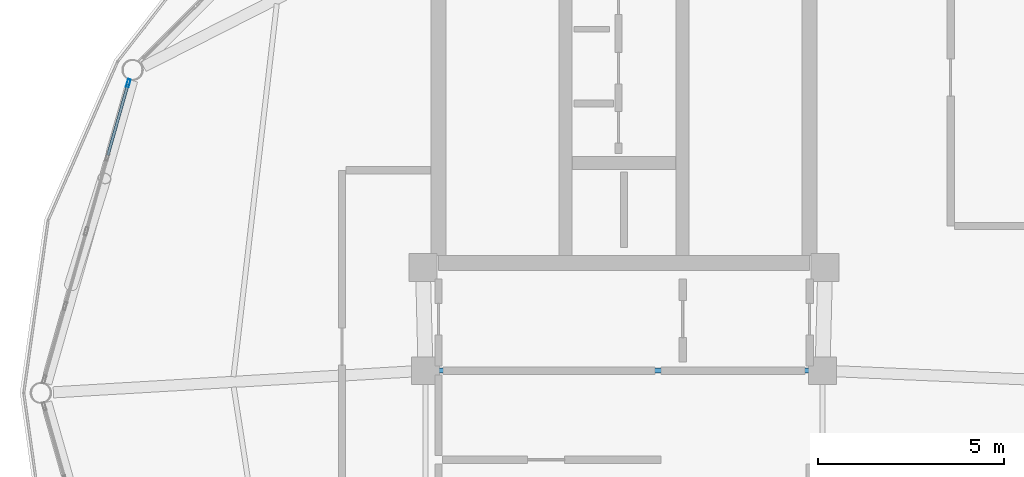
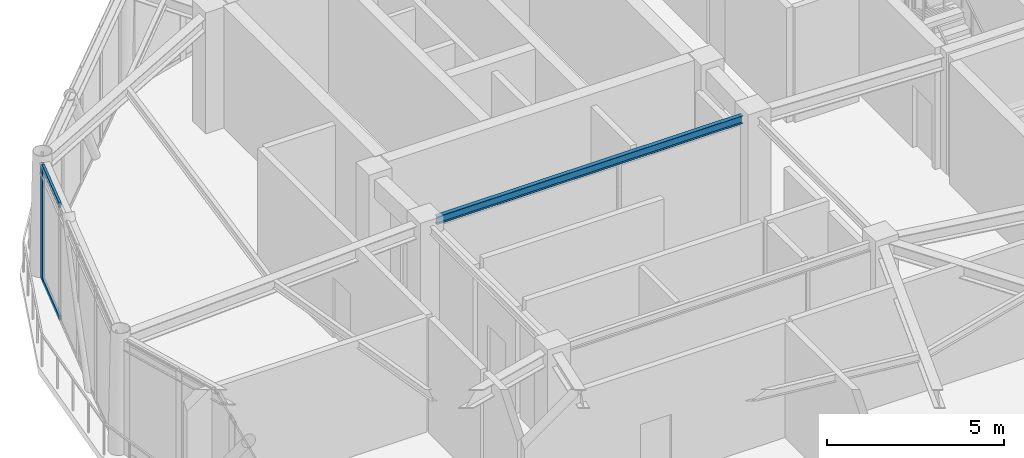
# One storey, part 9 of 21: 3 members, 1 beam, 1 element without a shape of its own.
"""IFC4 building model written with IfcOpenShell, lengths in metres."""

from ifc_helpers import new_model, si_unit, direction, frame, origin, origin_2d, place, context, subcontext, project, spatial, hollow_rectangle, i_section, extrude, material, layer, layer_set, material_profile, profile_set, type_object, element, aggregate, save


model = new_model("IFC4")

# Units and contexts
model_context = context("Model", 3, precision=1e-05, world=origin(), true_north=direction((0.0, 1.0)))
body_context = subcontext(model_context, "Body", "Model", "MODEL_VIEW")
ifc_project = project(units=[si_unit("LENGTHUNIT", "METRE"), si_unit("AREAUNIT", "SQUARE_METRE"), si_unit("VOLUMEUNIT", "CUBIC_METRE"), si_unit("PLANEANGLEUNIT", "RADIAN"), si_unit("MASSUNIT", "GRAM", prefix="KILO")], contexts=[model_context])

# Site, building, storey
site_placement = place(None, origin())
site = spatial("IfcSite", under=ifc_project, at=site_placement, CompositionType="ELEMENT")
building_placement = place(site_placement, origin())
building = spatial("IfcBuilding", under=site, at=building_placement, Name="Varnakorn Sky Granary", CompositionType="ELEMENT")
storey_placement = place(building_placement, frame((0.0, 0.0, 298.199951171875)))
storey = spatial("IfcBuildingStorey", under=building, at=storey_placement, Name="L76", CompositionType="ELEMENT", Elevation=298.199951171875)

# Beam
ifc_material_1 = material(Name="Steel S355JR", Category="steel")
ifc_material_profile_1 = material_profile(ifc_material_1, i_section(OverallWidth=0.135009765625, OverallDepth=0.27001953125, WebThickness=0.006591796875, FlangeThickness=0.01025390625, at=origin_2d()), Name="IPE 270")
ifc_profile_set_1 = profile_set([ifc_material_profile_1], Name="Steel S355JR")
beam_type = type_object("IfcBeamType", Name="BM-SEC-Z5", PredefinedType="BEAM", material=ifc_profile_set_1)
beam_placement = place(storey_placement, frame((-1.9951171875, 0.60009765625, 3.824951171875), z_axis=(1.0, 0.0, 0.0), x_axis=(0.0, 1.0, 0.0)))
element("IfcBeam", 1, at=beam_placement, inside=storey, type_object=beam_type, Name="Core Spine Framing Beam 5 L76", PredefinedType="BEAM", context=body_context, shape_type="SweptSolid", body=[
    extrude(i_section(OverallWidth=0.135009765625, OverallDepth=0.27001953125, WebThickness=0.006591796875, FlangeThickness=0.01025390625, at=origin_2d()), origin(), (0.0, 0.0, 1.0), 9.990234375),
])

# Curtain wall, members
ifc_material_2 = material(Name="Anodised Bronze Aluminium Alloy 6063-T6", Category="aluminium")
ifc_layer = layer(ifc_material_2, 0.22998046875, Name="Anodised Bronze Aluminium Alloy 6063-T6")
ifc_layer_set = layer_set([ifc_layer], Name="Anodised Bronze Aluminium Alloy 6063-T6")
curtain_wall_type = type_object("IfcCurtainWallType", Name="CW-LNT-1", PredefinedType="USERDEFINED", material=ifc_layer_set)
curtain_wall_placement = place(storey_placement, origin())
curtain_wall = element("IfcCurtainWall", 2, at=curtain_wall_placement, inside=storey, type_object=curtain_wall_type, Name="Unitised Curtain Wall CW7 CW-L76-B06", ObjectType="CURTAIN WALL", PredefinedType="USERDEFINED")
ifc_material_profile_2 = material_profile(ifc_material_2, hollow_rectangle(XDim=0.074951171875, YDim=0.219970703125, WallThickness=0.00390625, at=origin_2d()), Name="ALU MULL 75x220")
ifc_profile_set_2 = profile_set([ifc_material_profile_2], Name="Anodised Bronze Aluminium Alloy 6063-T6")
member_type_1 = type_object("IfcMemberType", Name="CW-LNT-1-MULL", PredefinedType="MULLION", material=ifc_profile_set_2)
member_1_placement = place(storey_placement, frame((-10.35986328125, 8.348388671875, 0.0), z_axis=(0.0, 0.0, 1.0), x_axis=(-0.962012139811, 0.273006671816, 0.0)))
member_1 = element("IfcMember", 3, at=member_1_placement, type_object=member_type_1, Name="CW7 mullion 5", PredefinedType="MULLION", context=body_context, shape_type="SweptSolid", body=[
    extrude(hollow_rectangle(XDim=0.074951171875, YDim=0.219970703125, WallThickness=0.00390625, at=origin_2d()), origin(), (0.0, 0.0, 1.0), 3.9599609375),
])
ifc_material_profile_3 = material_profile(ifc_material_2, hollow_rectangle(XDim=0.074951171875, YDim=0.159912109375, WallThickness=0.00390625, at=origin_2d()), Name="ALU TRAN 75x160")
ifc_profile_set_3 = profile_set([ifc_material_profile_3], Name="Anodised Bronze Aluminium Alloy 6063-T6")
member_type_2 = type_object("IfcMemberType", Name="CW-LNT-1-TRAN", PredefinedType="USERDEFINED", material=ifc_profile_set_3)
member_2_placement = place(storey_placement, frame((-10.9111328125, 6.406005859375, 0.03759765625), z_axis=(0.273028339525, 0.96200599053, 0.0), x_axis=(-0.96200599053, 0.273028339525, 0.0)))
member_2 = element("IfcMember", 4, at=member_2_placement, type_object=member_type_2, Name="CW7 transom 4.1", ObjectType="TRANSOM", PredefinedType="USERDEFINED", context=body_context, shape_type="SweptSolid", body=[
    extrude(hollow_rectangle(XDim=0.074951171875, YDim=0.159912109375, WallThickness=0.00390625, at=origin_2d()), origin(), (0.0, 0.0, 1.0), 1.9814453125),
])
member_3_placement = place(storey_placement, frame((-10.9111328125, 6.406005859375, 3.922607421875), z_axis=(0.273028339525, 0.96200599053, 0.0), x_axis=(-0.96200599053, 0.273028339525, 0.0)))
member_3 = element("IfcMember", 5, at=member_3_placement, type_object=member_type_2, Name="CW7 transom 4.2", ObjectType="TRANSOM", PredefinedType="USERDEFINED", context=body_context, shape_type="SweptSolid", body=[
    extrude(hollow_rectangle(XDim=0.074951171875, YDim=0.159912109375, WallThickness=0.00390625, at=origin_2d()), origin(), (0.0, 0.0, 1.0), 1.9814453125),
])
aggregate(curtain_wall, [member_1, member_2, member_3])

save(model, "model.ifc")
